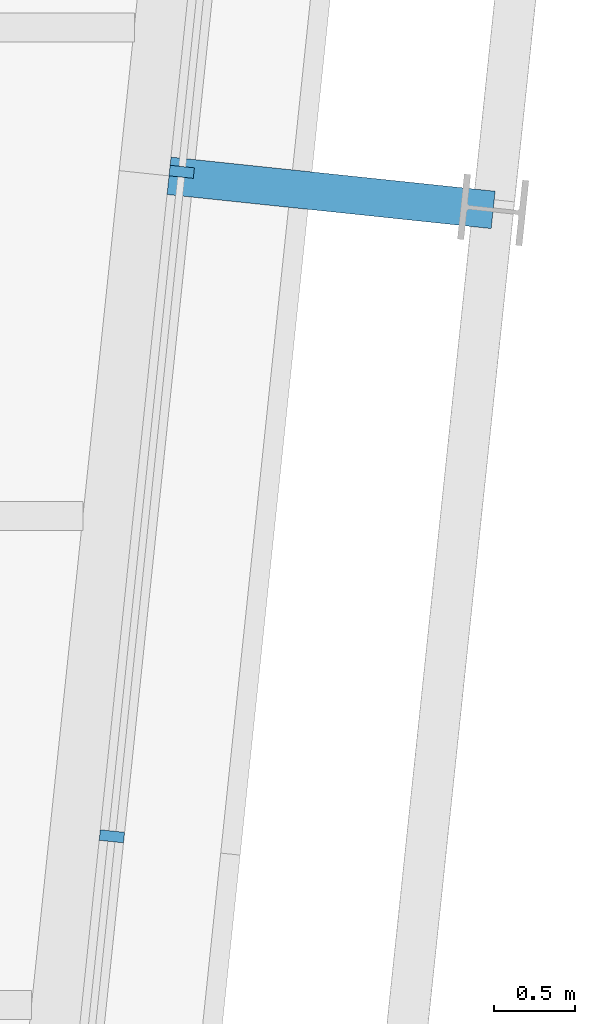
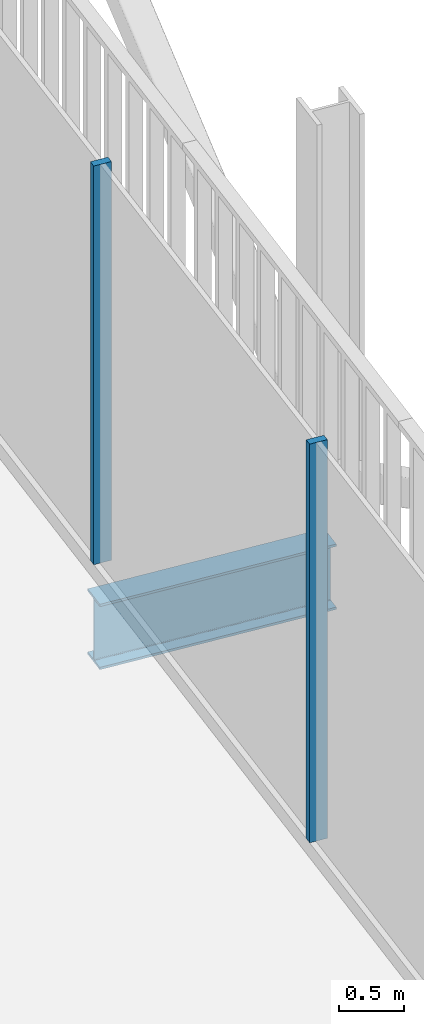
# One storey, part 11 of 21: 2 members, 1 beam, 1 element without a shape of its own.
"""IFC4 building model written with IfcOpenShell, lengths in metres."""

import ifcopenshell
import ifcopenshell.guid

model = None  # the IFC model being written
_history = None  # IfcOwnerHistory: only IFC2X3 demands one
_inside = {}  # id of a spatial element -> (the spatial element, [elements in it])
_under = {}  # id of a project, library or spatial element -> (it, [spatial elements below it])
_declared = {}  # id of a project -> (the project, [libraries it declares])
_typed = {}  # id of a type object -> (the type object, [elements of that type])
_made_of = {}  # id of a material, layer set ... -> (it, [elements and type objects made of it])


def new_model(schema):
    """Start an empty IFC model of exactly this schema.

    Asked for "IFC4X3", IfcOpenShell would pick the latest addendum, in which some entities
    have other attributes; the version numbers below select the first issue.
    IFC2X3 requires an IfcOwnerHistory on every rooted entity: one is made here for all.
    """
    global model, _history
    if schema == "IFC4X3":
        model = ifcopenshell.file(schema_version=(4, 3, 0, 0))
    else:
        model = ifcopenshell.file(schema=schema)
    _inside.clear()
    _under.clear()
    _declared.clear()
    _typed.clear()
    _made_of.clear()
    _history = None
    if model.schema == "IFC2X3":
        org = make("IfcOrganization", Name="unknown")
        user = make(
            "IfcPersonAndOrganization",
            ThePerson=make("IfcPerson", FamilyName="unknown"),
            TheOrganization=org,
        )
        app = make(
            "IfcApplication",
            ApplicationDeveloper=org,
            Version="unknown",
            ApplicationFullName="unknown",
            ApplicationIdentifier="unknown",
        )
        _history = make(
            "IfcOwnerHistory",
            OwningUser=user,
            OwningApplication=app,
            ChangeAction="ADDED",
            CreationDate=0,
        )
    return model


def make(cls, **values):
    """One entity of the class cls with the attributes given. An attribute that is None is left unset."""
    return model.create_entity(
        cls, **{name: value for name, value in values.items() if value is not None}
    )


def rooted(cls, **values):
    """An entity with a GlobalId (a new one), such as an element, a storey or a relation."""
    return make(cls, GlobalId=ifcopenshell.guid.new(), OwnerHistory=_history, **values)


def si_unit(unit_type, name, prefix=None):
    """IfcSIUnit, for example si_unit("LENGTHUNIT", "METRE", prefix="MILLI")."""
    return make("IfcSIUnit", UnitType=unit_type, Prefix=prefix, Name=name)


def assignment(units):
    """IfcUnitAssignment: the units of a project."""
    return None if units is None else make("IfcUnitAssignment", Units=units)


def point(xyz):
    """IfcCartesianPoint."""
    return None if xyz is None else make("IfcCartesianPoint", Coordinates=xyz)


def direction(xyz):
    """IfcDirection."""
    return None if xyz is None else make("IfcDirection", DirectionRatios=xyz)


def frame(location, z_axis=None, x_axis=None):
    """IfcAxis2Placement3D, a coordinate frame: its origin and axes. An axis left out is left unset."""
    return make(
        "IfcAxis2Placement3D",
        Location=point(location),
        Axis=direction(z_axis),
        RefDirection=direction(x_axis),
    )


def frame_2d(location, x_axis=None):
    """IfcAxis2Placement2D, a coordinate frame in the plane: its origin and x axis."""
    return make(
        "IfcAxis2Placement2D", Location=point(location), RefDirection=direction(x_axis)
    )


def origin():
    """The frame at (0, 0, 0) with its axes left unset."""
    return frame((0.0, 0.0, 0.0))


def origin_2d():
    """The frame at (0, 0) in the plane with its x axis left unset."""
    return frame_2d((0.0, 0.0))


def place(relative_to, where):
    """IfcLocalPlacement: puts the frame where relative to a parent placement (None: the world)."""
    return make(
        "IfcLocalPlacement", PlacementRelTo=relative_to, RelativePlacement=where
    )


def context(
    kind, dimensions, precision=None, world=None, true_north=None, identifier=None
):
    """IfcGeometricRepresentationContext, for example the 3D "Model" context."""
    return make(
        "IfcGeometricRepresentationContext",
        ContextIdentifier=identifier,
        ContextType=kind,
        CoordinateSpaceDimension=dimensions,
        Precision=precision,
        WorldCoordinateSystem=world,
        TrueNorth=true_north,
    )


def subcontext(parent, identifier, kind, view, scale=None):
    """IfcGeometricRepresentationSubContext, for example "Body" below "Model"."""
    return make(
        "IfcGeometricRepresentationSubContext",
        ContextIdentifier=identifier,
        ContextType=kind,
        ParentContext=parent,
        TargetScale=scale,
        TargetView=view,
    )


def project(units=None, contexts=None):
    """IfcProject with its units and contexts."""
    return rooted(
        "IfcProject",
        Name="project",
        RepresentationContexts=contexts,
        UnitsInContext=assignment(units),
    )


def spatial(cls, under=None, at=None, **own):
    """A site, building, storey or space (cls), placed at a placement, below another one or the project."""
    s = rooted(cls, ObjectPlacement=at, **own)
    if under is not None:
        _under.setdefault(under.id(), (under, []))[1].append(s)
    return s


def profile(cls, at=None, kind="AREA", **sizes):
    """A parametric profile (cls). Its sizes go by their IFC names, for example OverallWidth=200.0."""
    return make(cls, ProfileType=kind, Position=at, **sizes)


def rectangle(**sizes):
    """IfcRectangleProfileDef."""
    return profile("IfcRectangleProfileDef", **sizes)


def i_section(**sizes):
    """IfcIShapeProfileDef."""
    return profile("IfcIShapeProfileDef", **sizes)


def extrude(swept, where, along, depth):
    """IfcExtrudedAreaSolid: the profile swept, set in the frame where, extruded along a direction by depth."""
    return make(
        "IfcExtrudedAreaSolid",
        SweptArea=swept,
        Position=where,
        ExtrudedDirection=direction(along),
        Depth=depth,
    )


def shape(context_of_items, identifier, shape_type, items):
    """IfcShapeRepresentation: the items that make up one representation, for example the "Body"."""
    return make(
        "IfcShapeRepresentation",
        ContextOfItems=context_of_items,
        RepresentationIdentifier=identifier,
        RepresentationType=shape_type,
        Items=items,
    )


def material(Name=None, Category=None):
    """IfcMaterial."""
    return make("IfcMaterial", Name=Name, Category=Category)


def layer(
    of_material, thickness, ventilated=None, Name=None, Category=None, Priority=None
):
    """IfcMaterialLayer: one layer of a wall or slab, of a material (None: an air gap)."""
    return make(
        "IfcMaterialLayer",
        Material=of_material,
        LayerThickness=thickness,
        IsVentilated=ventilated,
        Name=Name,
        Category=Category,
        Priority=Priority,
    )


def layer_set(layers, Name=None):
    """IfcMaterialLayerSet."""
    return make("IfcMaterialLayerSet", MaterialLayers=layers, LayerSetName=Name)


def material_profile(
    of_material, cross_section, Name=None, Category=None, Priority=None
):
    """IfcMaterialProfile: a cross section and its material."""
    return make(
        "IfcMaterialProfile",
        Name=Name,
        Material=of_material,
        Profile=cross_section,
        Priority=Priority,
        Category=Category,
    )


def profile_set(profiles, Name=None, composite=None):
    """IfcMaterialProfileSet."""
    return make(
        "IfcMaterialProfileSet",
        Name=Name,
        MaterialProfiles=profiles,
        CompositeProfile=composite,
    )


def made_of(thing, what):
    """Note that an element or type object is made of a material, layer set ...; save() writes the relation."""
    if what is not None:
        _made_of.setdefault(what.id(), (what, []))[1].append(thing)
    return thing


def type_object(cls, material=None, **own):
    """A type object (cls), such as IfcWallType, which elements share."""
    return made_of(rooted(cls, **own), material)


def element(
    cls,
    number,
    at=None,
    inside=None,
    cuts=None,
    type_object=None,
    material=None,
    context=None,
    identifier="Body",
    shape_type=None,
    held_by="IfcProductDefinitionShape",
    body=None,
    shapes=None,
    **own,
):
    """One element of the class cls, such as IfcWall. Its Tag is "e" and its number.

    at: its placement. inside: the storey or other place that contains it. cuts: it is an
    opening in that element (IfcRelVoidsElement). A single representation is given by context,
    identifier, shape_type and body (its items); several are given by shapes. held_by: the class
    of the entity that holds the representations. save() writes the other relations.
    """
    e = rooted(cls, Tag="e%d" % number, ObjectPlacement=at, **own)
    if body is not None:
        shapes = [shape(context, identifier, shape_type, body)]
    if shapes is not None:
        e.Representation = make(held_by, Representations=shapes)
    if inside is not None:
        _inside.setdefault(inside.id(), (inside, []))[1].append(e)
    if cuts is not None:
        rooted(
            "IfcRelVoidsElement", RelatingBuildingElement=cuts, RelatedOpeningElement=e
        )
    if type_object is not None:
        _typed.setdefault(type_object.id(), (type_object, []))[1].append(e)
    return made_of(e, material)


def aggregate(whole, parts):
    """IfcRelAggregates: a whole, such as a stair, and the parts it consists of."""
    return rooted("IfcRelAggregates", RelatingObject=whole, RelatedObjects=parts)


def save(model, path):
    """Write the relations noted so far, then the file.

    IfcRelAggregates (storeys below a building ...), IfcRelContainedInSpatialStructure (elements
    in a storey), IfcRelDefinesByType, IfcRelAssociatesMaterial and IfcRelDeclares: one each for
    every whole, place, type object, material and project.
    """
    for whole, parts in _under.values():
        aggregate(whole, parts)
    for where, things in _inside.values():
        rooted(
            "IfcRelContainedInSpatialStructure",
            RelatedElements=things,
            RelatingStructure=where,
        )
    for kind, things in _typed.values():
        rooted("IfcRelDefinesByType", RelatedObjects=things, RelatingType=kind)
    for what, things in _made_of.values():
        rooted("IfcRelAssociatesMaterial", RelatedObjects=things, RelatingMaterial=what)
    for by, libraries in _declared.values():
        rooted("IfcRelDeclares", RelatingContext=by, RelatedDefinitions=libraries)
    model.write(path)


model = new_model("IFC4")

# Units and contexts
model_context = context("Model", 3, precision=1e-05, world=origin(), true_north=direction((0.0, 1.0)))
body_context = subcontext(model_context, "Body", "Model", "MODEL_VIEW")
ifc_project = project(units=[si_unit("LENGTHUNIT", "METRE"), si_unit("AREAUNIT", "SQUARE_METRE"), si_unit("VOLUMEUNIT", "CUBIC_METRE"), si_unit("PLANEANGLEUNIT", "RADIAN"), si_unit("MASSUNIT", "GRAM", prefix="KILO")], contexts=[model_context])

# Site, building, storey
site_placement = place(None, origin())
site = spatial("IfcSite", under=ifc_project, at=site_placement, CompositionType="ELEMENT")
building_placement = place(site_placement, origin())
building = spatial("IfcBuilding", under=site, at=building_placement, Name="Millrace Tower", CompositionType="ELEMENT")
storey_placement = place(building_placement, frame((0.0, 0.0, 299.39990234375)))
storey = spatial("IfcBuildingStorey", under=building, at=storey_placement, Name="L69", CompositionType="ELEMENT", Elevation=299.39990234375)

# Curtain wall, members
ifc_material_1 = material(Name="Aluminium and glass", Category="aluminium")
ifc_layer = layer(ifc_material_1, 0.14990234375)
ifc_layer_set = layer_set([ifc_layer], Name="Aluminium and glass")
curtain_wall_type = type_object("IfcCurtainWallType", Name="CW-1 office vision curtain wall", PredefinedType="NOTDEFINED", material=ifc_layer_set)
curtain_wall_placement = place(storey_placement, origin())
curtain_wall = element("IfcCurtainWall", 1, at=curtain_wall_placement, inside=storey, type_object=curtain_wall_type, Name="Curtain wall E-F04 L69", PredefinedType="NOTDEFINED")
ifc_material_2 = material(Name="Aluminium", Category="aluminium")
ifc_material_profile_1 = material_profile(ifc_material_2, rectangle(XDim=0.06494140625, YDim=0.14990234375, at=origin_2d()))
ifc_profile_set_1 = profile_set([ifc_material_profile_1], Name="Aluminium")
member_type = type_object("IfcMemberType", Name="CW-1 office vision curtain wall mullion", PredefinedType="MULLION", material=ifc_profile_set_1)
member_1_placement = place(storey_placement, frame((23.11767578125, 4.03515625, 0.14013671875), z_axis=(0.0, 0.0, 1.0), x_axis=(0.104528455196, 0.994521896217, 0.0)))
member_1 = element("IfcMember", 2, at=member_1_placement, type_object=member_type, Name="CW1 mullion E-F04.6", PredefinedType="MULLION", context=body_context, shape_type="SweptSolid", body=[
    extrude(rectangle(XDim=0.06494140625, YDim=0.14990234375, at=origin_2d()), origin(), (0.0, 0.0, 1.0), 3.760009765625),
])
member_2_placement = place(storey_placement, frame((23.546142578125, 8.11279296875, 0.14013671875), z_axis=(0.0, 0.0, 1.0), x_axis=(0.104528455196, 0.994521896217, 0.0)))
member_2 = element("IfcMember", 3, at=member_2_placement, type_object=member_type, Name="CW1 mullion E-F04.7", PredefinedType="MULLION", context=body_context, shape_type="SweptSolid", body=[
    extrude(rectangle(XDim=0.06494140625, YDim=0.14990234375, at=origin_2d()), origin(), (0.0, 0.0, 1.0), 3.760009765625),
])
aggregate(curtain_wall, [member_1, member_2])

# Beam
ifc_material_3 = material(Name="Steel ASTM A992 Grade 50", Category="steel")
ifc_material_profile_2 = material_profile(ifc_material_3, i_section(OverallWidth=0.23046875, OverallDepth=0.6171875, WebThickness=0.01318359375, FlangeThickness=0.022216796875, FilletRadius=0.012939453125, at=origin_2d()))
ifc_profile_set_2 = profile_set([ifc_material_profile_2], Name="Steel ASTM A992 Grade 50")
beam_type = type_object("IfcBeamType", Name="Link beam W24x94", PredefinedType="BEAM", material=ifc_profile_set_2)
beam_placement = place(storey_placement, frame((23.46826171875, 8.08837890625, -0.468505859375), z_axis=(0.994512808172, -0.104614886044, 0.0), x_axis=(0.104614886044, 0.994512808172, 0.0)))
element("IfcBeam", 4, at=beam_placement, inside=storey, type_object=beam_type, Name="LNK-E-L69-S1-10", PredefinedType="BEAM", context=body_context, shape_type="SweptSolid", body=[
    extrude(i_section(OverallWidth=0.23046875, OverallDepth=0.6171875, WebThickness=0.01318359375, FlangeThickness=0.022216796875, FilletRadius=0.012939453125, at=origin_2d()), origin(), (0.0, 0.0, 1.0), 2.0),
])

save(model, "model.ifc")
